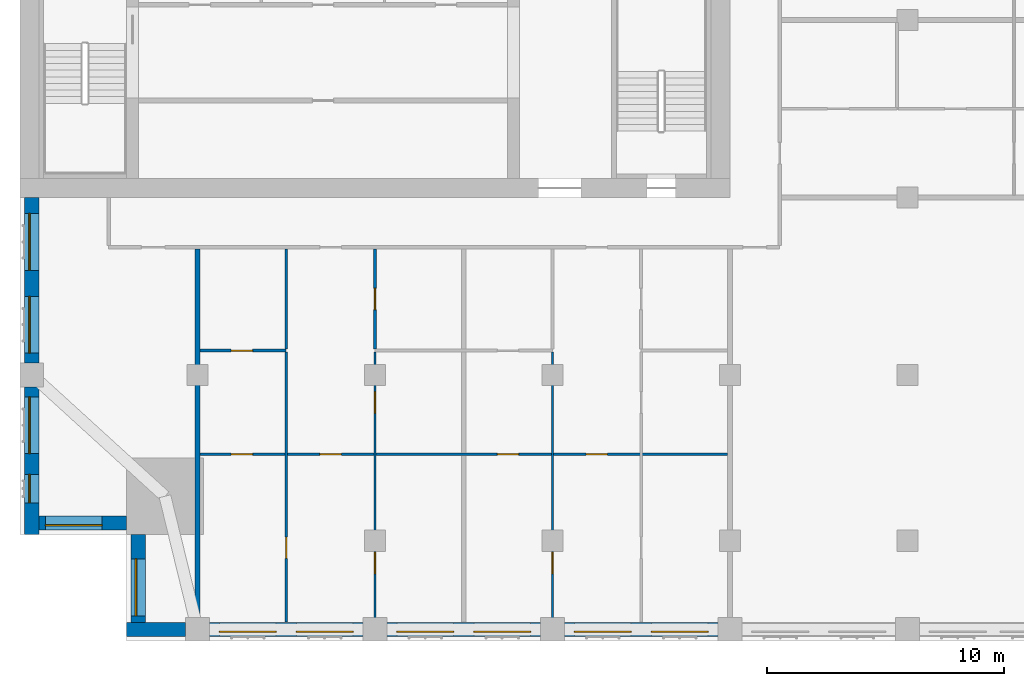
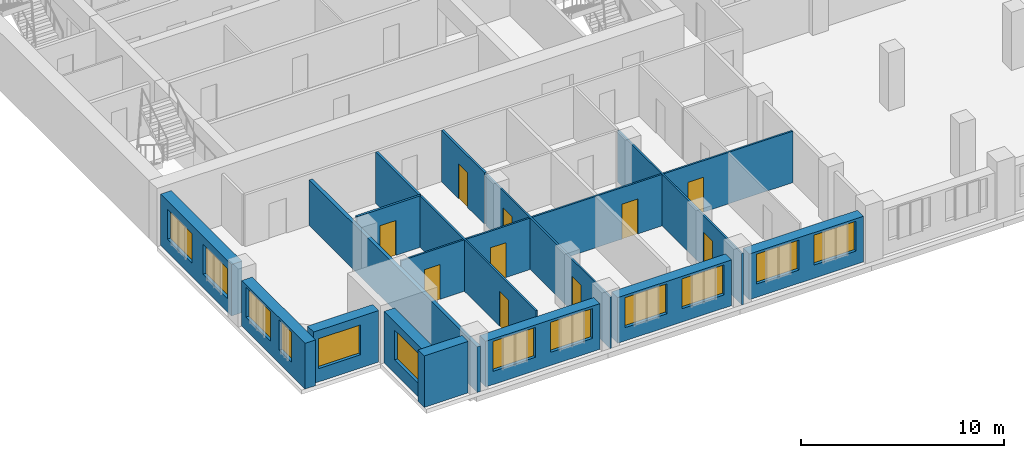
# One storey, part 6 of 14: 16 walls, 12 windows, 10 doors, 22 openings.
"""IFC4 building model written with IfcOpenShell, lengths in metres."""

from ifc_helpers import new_model, si_unit, direction, frame, frame_2d, origin, place, context, subcontext, project, spatial, rectangle, extrude, material, layer, layer_set, type_object, element, fill, save


model = new_model("IFC4")

# Units and contexts
model_context = context("Model", 3, precision=1e-05, world=origin(), true_north=direction((0.0, 1.0)))
body_context = subcontext(model_context, "Body", "Model", "MODEL_VIEW")
ifc_project = project(units=[si_unit("LENGTHUNIT", "METRE"), si_unit("AREAUNIT", "SQUARE_METRE"), si_unit("VOLUMEUNIT", "CUBIC_METRE"), si_unit("PLANEANGLEUNIT", "RADIAN"), si_unit("MASSUNIT", "GRAM", prefix="KILO")], contexts=[model_context])

# Site, building, storey
site_placement = place(None, origin())
site = spatial("IfcSite", under=ifc_project, at=site_placement, CompositionType="ELEMENT")
building_placement = place(site_placement, origin())
building = spatial("IfcBuilding", under=site, at=building_placement, Name="Tamorin Gate", CompositionType="ELEMENT")
storey_placement = place(building_placement, frame((0.0, 0.0, 210.699951171875)))
storey = spatial("IfcBuildingStorey", under=building, at=storey_placement, Name="L52", CompositionType="ELEMENT", Elevation=210.699951171875)

# Wall
ifc_material_1 = material(Name="Precast concrete C40/50", Category="concrete")
ifc_layer_1 = layer(ifc_material_1, 0.60009765625)
ifc_layer_set_1 = layer_set([ifc_layer_1], Name="Precast concrete C40/50")
wall_type_1 = type_object("IfcWallType", Name="Board-marked concrete facade panel 600", PredefinedType="SOLIDWALL", material=ifc_layer_set_1)
wall_1_placement = place(storey_placement, frame((34.5, 41.75, 0.0), z_axis=(0.0, 0.0, 1.0), x_axis=(1.0, 0.0, 0.0)))
element("IfcWall", 1, at=wall_1_placement, inside=storey, type_object=wall_type_1, Name="Facade panel", PredefinedType="SOLIDWALL", context=body_context, shape_type="SweptSolid", body=[
    extrude(rectangle(XDim=2.5, YDim=0.60009765625, at=frame_2d((1.25, 0.0))), origin(), (0.0, 0.0, 1.0), 3.10009765625),
])

# Wall, openings, windows
wall_2_placement = place(storey_placement, frame((38.0, 41.75, 0.0), z_axis=(0.0, 0.0, 1.0), x_axis=(1.0, 0.0, 0.0)))
wall_2 = element("IfcWall", 2, at=wall_2_placement, inside=storey, type_object=wall_type_1, Name="Facade panel", PredefinedType="SOLIDWALL", context=body_context, shape_type="SweptSolid", body=[
    extrude(rectangle(XDim=6.5, YDim=0.60009765625, at=frame_2d((3.25, 0.0))), origin(), (0.0, 0.0, 1.0), 2.75),
])
opening_1_placement = place(wall_2_placement, frame((0.425048828125, 0.0, 0.800048828125)))
opening_1 = element("IfcOpeningElement", 3, at=opening_1_placement, cuts=wall_2, Name="Opening WN1", PredefinedType="OPENING", context=body_context, shape_type="SweptSolid", body=[
    extrude(rectangle(XDim=2.39990234375, YDim=1.800048828125, at=frame_2d((1.199951171875, 0.89990234375))), frame((0.0, 0.31005859375, 0.0), z_axis=(0.0, -1.0, 0.0), x_axis=(1.0, 0.0, 0.0)), (0.0, 0.0, 1.0), 0.6201171875),
])
opening_2_placement = place(wall_2_placement, frame((3.675048828125, 0.0, 0.800048828125)))
opening_2 = element("IfcOpeningElement", 4, at=opening_2_placement, cuts=wall_2, Name="Opening WN1", PredefinedType="OPENING", context=body_context, shape_type="SweptSolid", body=[
    extrude(rectangle(XDim=2.39990234375, YDim=1.800048828125, at=frame_2d((1.199951171875, 0.89990234375))), frame((0.0, 0.31005859375, 0.0), z_axis=(0.0, -1.0, 0.0), x_axis=(1.0, 0.0, 0.0)), (0.0, 0.0, 1.0), 0.6201171875),
])
ifc_material_2 = material(Name="Clear glass in aluminium frame", Category="aluminium")
window_type_1 = type_object("IfcWindowType", Name="Deep-set window 2400x1800", PartitioningType="SINGLE_PANEL", PredefinedType="WINDOW", material=ifc_material_2)
window_1_placement = place(opening_1_placement, origin())
window_1 = element("IfcWindow", 5, at=window_1_placement, inside=storey, type_object=window_type_1, Name="Deep-set window", OverallHeight=1.800048828125, OverallWidth=2.39990234375, PartitioningType="SINGLE_PANEL", PredefinedType="WINDOW", context=body_context, shape_type="SweptSolid", body=[
    extrude(rectangle(XDim=2.39990234375, YDim=1.800048828125, at=frame_2d((1.199951171875, 0.89990234375))), frame((0.0, -0.070068359375, 0.0), z_axis=(0.0, -1.0, 0.0), x_axis=(1.0, 0.0, 0.0)), (0.0, 0.0, 1.0), 0.06005859375),
])
fill(opening_1, window_1)
window_2_placement = place(opening_2_placement, origin())
window_2 = element("IfcWindow", 6, at=window_2_placement, inside=storey, type_object=window_type_1, Name="Deep-set window", OverallHeight=1.800048828125, OverallWidth=2.39990234375, PartitioningType="SINGLE_PANEL", PredefinedType="WINDOW", context=body_context, shape_type="SweptSolid", body=[
    extrude(rectangle(XDim=2.39990234375, YDim=1.800048828125, at=frame_2d((1.199951171875, 0.89990234375))), frame((0.0, -0.070068359375, 0.0), z_axis=(0.0, -1.0, 0.0), x_axis=(1.0, 0.0, 0.0)), (0.0, 0.0, 1.0), 0.06005859375),
])
fill(opening_2, window_2)

wall_3_placement = place(storey_placement, frame((45.5, 41.75, 0.0), z_axis=(0.0, 0.0, 1.0), x_axis=(1.0, 0.0, 0.0)))
wall_3 = element("IfcWall", 7, at=wall_3_placement, inside=storey, type_object=wall_type_1, Name="Facade panel", PredefinedType="SOLIDWALL", context=body_context, shape_type="SweptSolid", body=[
    extrude(rectangle(XDim=6.5, YDim=0.60009765625, at=frame_2d((3.25, 0.0))), origin(), (0.0, 0.0, 1.0), 2.75),
])
opening_3_placement = place(wall_3_placement, frame((0.425048828125, 0.0, 0.800048828125)))
opening_3 = element("IfcOpeningElement", 8, at=opening_3_placement, cuts=wall_3, Name="Opening WN1", PredefinedType="OPENING", context=body_context, shape_type="SweptSolid", body=[
    extrude(rectangle(XDim=2.39990234375, YDim=1.800048828125, at=frame_2d((1.199951171875, 0.89990234375))), frame((0.0, 0.31005859375, 0.0), z_axis=(0.0, -1.0, 0.0), x_axis=(1.0, 0.0, 0.0)), (0.0, 0.0, 1.0), 0.6201171875),
])
opening_4_placement = place(wall_3_placement, frame((3.675048828125, 0.0, 0.800048828125)))
opening_4 = element("IfcOpeningElement", 9, at=opening_4_placement, cuts=wall_3, Name="Opening WN1", PredefinedType="OPENING", context=body_context, shape_type="SweptSolid", body=[
    extrude(rectangle(XDim=2.39990234375, YDim=1.800048828125, at=frame_2d((1.199951171875, 0.89990234375))), frame((0.0, 0.31005859375, 0.0), z_axis=(0.0, -1.0, 0.0), x_axis=(1.0, 0.0, 0.0)), (0.0, 0.0, 1.0), 0.6201171875),
])
window_3_placement = place(opening_3_placement, origin())
window_3 = element("IfcWindow", 10, at=window_3_placement, inside=storey, type_object=window_type_1, Name="Deep-set window", OverallHeight=1.800048828125, OverallWidth=2.39990234375, PartitioningType="SINGLE_PANEL", PredefinedType="WINDOW", context=body_context, shape_type="SweptSolid", body=[
    extrude(rectangle(XDim=2.39990234375, YDim=1.800048828125, at=frame_2d((1.199951171875, 0.89990234375))), frame((0.0, -0.070068359375, 0.0), z_axis=(0.0, -1.0, 0.0), x_axis=(1.0, 0.0, 0.0)), (0.0, 0.0, 1.0), 0.06005859375),
])
fill(opening_3, window_3)
window_4_placement = place(opening_4_placement, origin())
window_4 = element("IfcWindow", 11, at=window_4_placement, inside=storey, type_object=window_type_1, Name="Deep-set window", OverallHeight=1.800048828125, OverallWidth=2.39990234375, PartitioningType="SINGLE_PANEL", PredefinedType="WINDOW", context=body_context, shape_type="SweptSolid", body=[
    extrude(rectangle(XDim=2.39990234375, YDim=1.800048828125, at=frame_2d((1.199951171875, 0.89990234375))), frame((0.0, -0.070068359375, 0.0), z_axis=(0.0, -1.0, 0.0), x_axis=(1.0, 0.0, 0.0)), (0.0, 0.0, 1.0), 0.06005859375),
])
fill(opening_4, window_4)

wall_4_placement = place(storey_placement, frame((53.0, 41.75, 0.0), z_axis=(0.0, 0.0, 1.0), x_axis=(1.0, 0.0, 0.0)))
wall_4 = element("IfcWall", 12, at=wall_4_placement, inside=storey, type_object=wall_type_1, Name="Facade panel", PredefinedType="SOLIDWALL", context=body_context, shape_type="SweptSolid", body=[
    extrude(rectangle(XDim=6.5, YDim=0.60009765625, at=frame_2d((3.25, 0.0))), origin(), (0.0, 0.0, 1.0), 2.75),
])
opening_5_placement = place(wall_4_placement, frame((0.425048828125, 0.0, 0.800048828125)))
opening_5 = element("IfcOpeningElement", 13, at=opening_5_placement, cuts=wall_4, Name="Opening WN1", PredefinedType="OPENING", context=body_context, shape_type="SweptSolid", body=[
    extrude(rectangle(XDim=2.39990234375, YDim=1.800048828125, at=frame_2d((1.199951171875, 0.89990234375))), frame((0.0, 0.31005859375, 0.0), z_axis=(0.0, -1.0, 0.0), x_axis=(1.0, 0.0, 0.0)), (0.0, 0.0, 1.0), 0.6201171875),
])
opening_6_placement = place(wall_4_placement, frame((3.675048828125, 0.0, 0.800048828125)))
opening_6 = element("IfcOpeningElement", 14, at=opening_6_placement, cuts=wall_4, Name="Opening WN1", PredefinedType="OPENING", context=body_context, shape_type="SweptSolid", body=[
    extrude(rectangle(XDim=2.39990234375, YDim=1.800048828125, at=frame_2d((1.199951171875, 0.89990234375))), frame((0.0, 0.31005859375, 0.0), z_axis=(0.0, -1.0, 0.0), x_axis=(1.0, 0.0, 0.0)), (0.0, 0.0, 1.0), 0.6201171875),
])
window_5_placement = place(opening_5_placement, origin())
window_5 = element("IfcWindow", 15, at=window_5_placement, inside=storey, type_object=window_type_1, Name="Deep-set window", OverallHeight=1.800048828125, OverallWidth=2.39990234375, PartitioningType="SINGLE_PANEL", PredefinedType="WINDOW", context=body_context, shape_type="SweptSolid", body=[
    extrude(rectangle(XDim=2.39990234375, YDim=1.800048828125, at=frame_2d((1.199951171875, 0.89990234375))), frame((0.0, -0.070068359375, 0.0), z_axis=(0.0, -1.0, 0.0), x_axis=(1.0, 0.0, 0.0)), (0.0, 0.0, 1.0), 0.06005859375),
])
fill(opening_5, window_5)
window_6_placement = place(opening_6_placement, origin())
window_6 = element("IfcWindow", 16, at=window_6_placement, inside=storey, type_object=window_type_1, Name="Deep-set window", OverallHeight=1.800048828125, OverallWidth=2.39990234375, PartitioningType="SINGLE_PANEL", PredefinedType="WINDOW", context=body_context, shape_type="SweptSolid", body=[
    extrude(rectangle(XDim=2.39990234375, YDim=1.800048828125, at=frame_2d((1.199951171875, 0.89990234375))), frame((0.0, -0.070068359375, 0.0), z_axis=(0.0, -1.0, 0.0), x_axis=(1.0, 0.0, 0.0)), (0.0, 0.0, 1.0), 0.06005859375),
])
fill(opening_6, window_6)

wall_5_placement = place(storey_placement, frame((30.5, 60.0, 0.0), z_axis=(0.0, 0.0, 1.0), x_axis=(0.0, -1.0, 0.0)))
wall_5 = element("IfcWall", 17, at=wall_5_placement, inside=storey, type_object=wall_type_1, Name="Facade panel", PredefinedType="SOLIDWALL", context=body_context, shape_type="SweptSolid", body=[
    extrude(rectangle(XDim=7.0, YDim=0.60009765625, at=frame_2d((3.5, 0.0))), origin(), (0.0, 0.0, 1.0), 3.10009765625),
])
opening_7_placement = place(wall_5_placement, frame((4.175048828125, 0.0, 0.800048828125)))
opening_7 = element("IfcOpeningElement", 18, at=opening_7_placement, cuts=wall_5, Name="Opening WN1", PredefinedType="OPENING", context=body_context, shape_type="SweptSolid", body=[
    extrude(rectangle(XDim=2.39990234375, YDim=1.800048828125, at=frame_2d((1.199951171875, 0.89990234375))), frame((0.0, 0.31005859375, 0.0), z_axis=(0.0, -1.0, 0.0), x_axis=(1.0, 0.0, 0.0)), (0.0, 0.0, 1.0), 0.6201171875),
])
opening_8_placement = place(wall_5_placement, frame((0.675048828125, 0.0, 0.800048828125)))
opening_8 = element("IfcOpeningElement", 19, at=opening_8_placement, cuts=wall_5, Name="Opening WN1", PredefinedType="OPENING", context=body_context, shape_type="SweptSolid", body=[
    extrude(rectangle(XDim=2.39990234375, YDim=1.800048828125, at=frame_2d((1.199951171875, 0.89990234375))), frame((0.0, 0.31005859375, 0.0), z_axis=(0.0, -1.0, 0.0), x_axis=(1.0, 0.0, 0.0)), (0.0, 0.0, 1.0), 0.6201171875),
])
window_7_placement = place(opening_7_placement, origin())
window_7 = element("IfcWindow", 20, at=window_7_placement, inside=storey, type_object=window_type_1, Name="Deep-set window", OverallHeight=1.800048828125, OverallWidth=2.39990234375, PartitioningType="SINGLE_PANEL", PredefinedType="WINDOW", context=body_context, shape_type="SweptSolid", body=[
    extrude(rectangle(XDim=2.39990234375, YDim=1.800048828125, at=frame_2d((1.199951171875, 0.89990234375))), frame((0.0, -0.070068359375, 0.0), z_axis=(0.0, -1.0, 0.0), x_axis=(1.0, 0.0, 0.0)), (0.0, 0.0, 1.0), 0.06005859375),
])
fill(opening_7, window_7)
window_8_placement = place(opening_8_placement, origin())
window_8 = element("IfcWindow", 21, at=window_8_placement, inside=storey, type_object=window_type_1, Name="Deep-set window", OverallHeight=1.800048828125, OverallWidth=2.39990234375, PartitioningType="SINGLE_PANEL", PredefinedType="WINDOW", context=body_context, shape_type="SweptSolid", body=[
    extrude(rectangle(XDim=2.39990234375, YDim=1.800048828125, at=frame_2d((1.199951171875, 0.89990234375))), frame((0.0, -0.070068359375, 0.0), z_axis=(0.0, -1.0, 0.0), x_axis=(1.0, 0.0, 0.0)), (0.0, 0.0, 1.0), 0.06005859375),
])
fill(opening_8, window_8)

wall_6_placement = place(storey_placement, frame((30.5, 52.0, 0.0), z_axis=(0.0, 0.0, 1.0), x_axis=(0.0, -1.0, 0.0)))
wall_6 = element("IfcWall", 22, at=wall_6_placement, inside=storey, type_object=wall_type_1, Name="Facade panel", PredefinedType="SOLIDWALL", context=body_context, shape_type="SweptSolid", body=[
    extrude(rectangle(XDim=6.25, YDim=0.60009765625, at=frame_2d((3.125, 0.0))), origin(), (0.0, 0.0, 1.0), 2.75),
])
opening_9_placement = place(wall_6_placement, frame((3.699951171875, 0.0, 0.800048828125)))
opening_9 = element("IfcOpeningElement", 23, at=opening_9_placement, cuts=wall_6, Name="Opening WN3", PredefinedType="OPENING", context=body_context, shape_type="SweptSolid", body=[
    extrude(rectangle(XDim=1.199951171875, YDim=1.800048828125, at=frame_2d((0.60009765625, 0.89990234375))), frame((0.0, 0.31005859375, 0.0), z_axis=(0.0, -1.0, 0.0), x_axis=(1.0, 0.0, 0.0)), (0.0, 0.0, 1.0), 0.6201171875),
])
opening_10_placement = place(wall_6_placement, frame((0.425048828125, 0.0, 0.800048828125)))
opening_10 = element("IfcOpeningElement", 24, at=opening_10_placement, cuts=wall_6, Name="Opening WN1", PredefinedType="OPENING", context=body_context, shape_type="SweptSolid", body=[
    extrude(rectangle(XDim=2.39990234375, YDim=1.800048828125, at=frame_2d((1.199951171875, 0.89990234375))), frame((0.0, 0.31005859375, 0.0), z_axis=(0.0, -1.0, 0.0), x_axis=(1.0, 0.0, 0.0)), (0.0, 0.0, 1.0), 0.6201171875),
])
window_type_2 = type_object("IfcWindowType", Name="Deep-set window 1200x1800", PartitioningType="SINGLE_PANEL", PredefinedType="WINDOW", material=ifc_material_2)
window_9_placement = place(opening_9_placement, origin())
window_9 = element("IfcWindow", 25, at=window_9_placement, inside=storey, type_object=window_type_2, Name="Deep-set window", OverallHeight=1.800048828125, OverallWidth=1.199951171875, PartitioningType="SINGLE_PANEL", PredefinedType="WINDOW", context=body_context, shape_type="SweptSolid", body=[
    extrude(rectangle(XDim=1.199951171875, YDim=1.800048828125, at=frame_2d((0.60009765625, 0.89990234375))), frame((0.0, -0.070068359375, 0.0), z_axis=(0.0, -1.0, 0.0), x_axis=(1.0, 0.0, 0.0)), (0.0, 0.0, 1.0), 0.06005859375),
])
fill(opening_9, window_9)
window_10_placement = place(opening_10_placement, origin())
window_10 = element("IfcWindow", 26, at=window_10_placement, inside=storey, type_object=window_type_1, Name="Deep-set window", OverallHeight=1.800048828125, OverallWidth=2.39990234375, PartitioningType="SINGLE_PANEL", PredefinedType="WINDOW", context=body_context, shape_type="SweptSolid", body=[
    extrude(rectangle(XDim=2.39990234375, YDim=1.800048828125, at=frame_2d((1.199951171875, 0.89990234375))), frame((0.0, -0.070068359375, 0.0), z_axis=(0.0, -1.0, 0.0), x_axis=(1.0, 0.0, 0.0)), (0.0, 0.0, 1.0), 0.06005859375),
])
fill(opening_10, window_10)

# Wall, opening, window
wall_7_placement = place(storey_placement, frame((30.800048828125, 46.25, 0.0), z_axis=(0.0, 0.0, 1.0), x_axis=(1.0, 0.0, 0.0)))
wall_7 = element("IfcWall", 27, at=wall_7_placement, inside=storey, type_object=wall_type_1, Name="Facade panel", PredefinedType="SOLIDWALL", context=body_context, shape_type="SweptSolid", body=[
    extrude(rectangle(XDim=3.699951171875, YDim=0.60009765625, at=frame_2d((1.85009765625, 0.0))), origin(), (0.0, 0.0, 1.0), 3.10009765625),
])
opening_11_placement = place(wall_7_placement, frame((0.27490234375, 0.0, 0.800048828125)))
opening_11 = element("IfcOpeningElement", 28, at=opening_11_placement, cuts=wall_7, Name="Opening WN1", PredefinedType="OPENING", context=body_context, shape_type="SweptSolid", body=[
    extrude(rectangle(XDim=2.39990234375, YDim=1.800048828125, at=frame_2d((1.199951171875, 0.89990234375))), frame((0.0, 0.31005859375, 0.0), z_axis=(0.0, -1.0, 0.0), x_axis=(1.0, 0.0, 0.0)), (0.0, 0.0, 1.0), 0.6201171875),
])
window_11_placement = place(opening_11_placement, origin())
window_11 = element("IfcWindow", 29, at=window_11_placement, inside=storey, type_object=window_type_1, Name="Deep-set window", OverallHeight=1.800048828125, OverallWidth=2.39990234375, PartitioningType="SINGLE_PANEL", PredefinedType="WINDOW", context=body_context, shape_type="SweptSolid", body=[
    extrude(rectangle(XDim=2.39990234375, YDim=1.800048828125, at=frame_2d((1.199951171875, 0.89990234375))), frame((0.0, -0.070068359375, 0.0), z_axis=(0.0, -1.0, 0.0), x_axis=(1.0, 0.0, 0.0)), (0.0, 0.0, 1.0), 0.06005859375),
])
fill(opening_11, window_11)

wall_8_placement = place(storey_placement, frame((35.0, 45.75, 0.0), z_axis=(0.0, 0.0, 1.0), x_axis=(0.0, -1.0, 0.0)))
wall_8 = element("IfcWall", 30, at=wall_8_placement, inside=storey, type_object=wall_type_1, Name="Facade panel", PredefinedType="SOLIDWALL", context=body_context, shape_type="SweptSolid", body=[
    extrude(rectangle(XDim=3.699951171875, YDim=0.60009765625, at=frame_2d((1.85009765625, 0.0))), origin(), (0.0, 0.0, 1.0), 3.10009765625),
])
opening_12_placement = place(wall_8_placement, frame((1.02490234375, 0.0, 0.800048828125)))
opening_12 = element("IfcOpeningElement", 31, at=opening_12_placement, cuts=wall_8, Name="Opening WN1", PredefinedType="OPENING", context=body_context, shape_type="SweptSolid", body=[
    extrude(rectangle(XDim=2.39990234375, YDim=1.800048828125, at=frame_2d((1.199951171875, 0.89990234375))), frame((0.0, 0.31005859375, 0.0), z_axis=(0.0, -1.0, 0.0), x_axis=(1.0, 0.0, 0.0)), (0.0, 0.0, 1.0), 0.6201171875),
])
window_12_placement = place(opening_12_placement, origin())
window_12 = element("IfcWindow", 32, at=window_12_placement, inside=storey, type_object=window_type_1, Name="Deep-set window", OverallHeight=1.800048828125, OverallWidth=2.39990234375, PartitioningType="SINGLE_PANEL", PredefinedType="WINDOW", context=body_context, shape_type="SweptSolid", body=[
    extrude(rectangle(XDim=2.39990234375, YDim=1.800048828125, at=frame_2d((1.199951171875, 0.89990234375))), frame((0.0, -0.070068359375, 0.0), z_axis=(0.0, -1.0, 0.0), x_axis=(1.0, 0.0, 0.0)), (0.0, 0.0, 1.0), 0.06005859375),
])
fill(opening_12, window_12)

# Wall
ifc_material_3 = material(Name="Gypsum board partition")
ifc_layer_2 = layer(ifc_material_3, 0.199951171875)
ifc_layer_set_2 = layer_set([ifc_layer_2], Name="Demising wall 200")
wall_type_2 = type_object("IfcWallType", Name="Demising wall 200", PredefinedType="PARTITIONING", material=ifc_layer_set_2)
wall_9_placement = place(storey_placement, frame((37.5, 41.25, 0.0), z_axis=(0.0, 0.0, 1.0), x_axis=(0.0, 1.0, 0.0)))
element("IfcWall", 33, at=wall_9_placement, inside=storey, type_object=wall_type_2, Name="Demising wall 200", PredefinedType="PARTITIONING", context=body_context, shape_type="SweptSolid", body=[
    extrude(rectangle(XDim=16.574951171875, YDim=0.199951171875, at=frame_2d((8.28759765625, 0.0))), origin(), (0.0, 0.0, 1.0), 2.75),
])

# Wall, openings, doors
ifc_layer_3 = layer(ifc_material_3, 0.10009765625)
ifc_layer_set_3 = layer_set([ifc_layer_3], Name="Room partition 100")
wall_type_3 = type_object("IfcWallType", Name="Room partition 100", PredefinedType="PARTITIONING", material=ifc_layer_set_3)
wall_10_placement = place(storey_placement, frame((37.60009765625, 49.14990234375, 0.0), z_axis=(0.0, 0.0, 1.0), x_axis=(1.0, 0.0, 0.0)))
wall_10 = element("IfcWall", 34, at=wall_10_placement, inside=storey, type_object=wall_type_3, Name="Room partition 100", PredefinedType="PARTITIONING", context=body_context, shape_type="SweptSolid", body=[
    extrude(rectangle(XDim=22.2998046875, YDim=0.10009765625, at=frame_2d((11.14990234375, 0.0))), origin(), (0.0, 0.0, 1.0), 3.10009765625),
])
opening_13_placement = place(wall_10_placement, frame((1.324951171875, 0.0, 0.0)))
opening_13 = element("IfcOpeningElement", 35, at=opening_13_placement, cuts=wall_10, Name="Opening DR2002", PredefinedType="OPENING", context=body_context, shape_type="SweptSolid", body=[
    extrude(rectangle(XDim=0.89990234375, YDim=2.10009765625, at=frame_2d((0.449951171875, 1.050048828125))), frame((0.0, 0.06005859375, 0.0), z_axis=(0.0, -1.0, 0.0), x_axis=(1.0, 0.0, 0.0)), (0.0, 0.0, 1.0), 0.1201171875),
])
opening_14_placement = place(wall_10_placement, frame((5.074951171875, 0.0, 0.0)))
opening_14 = element("IfcOpeningElement", 36, at=opening_14_placement, cuts=wall_10, Name="Opening DR2005", PredefinedType="OPENING", context=body_context, shape_type="SweptSolid", body=[
    extrude(rectangle(XDim=0.89990234375, YDim=2.10009765625, at=frame_2d((0.449951171875, 1.050048828125))), frame((0.0, 0.06005859375, 0.0), z_axis=(0.0, -1.0, 0.0), x_axis=(1.0, 0.0, 0.0)), (0.0, 0.0, 1.0), 0.1201171875),
])
opening_15_placement = place(wall_10_placement, frame((12.574951171875, 0.0, 0.0)))
opening_15 = element("IfcOpeningElement", 37, at=opening_15_placement, cuts=wall_10, Name="Opening DR2010", PredefinedType="OPENING", context=body_context, shape_type="SweptSolid", body=[
    extrude(rectangle(XDim=0.89990234375, YDim=2.10009765625, at=frame_2d((0.449951171875, 1.050048828125))), frame((0.0, 0.06005859375, 0.0), z_axis=(0.0, -1.0, 0.0), x_axis=(1.0, 0.0, 0.0)), (0.0, 0.0, 1.0), 0.1201171875),
])
opening_16_placement = place(wall_10_placement, frame((16.324951171875, 0.0, 0.0)))
opening_16 = element("IfcOpeningElement", 38, at=opening_16_placement, cuts=wall_10, Name="Opening DR2013", PredefinedType="OPENING", context=body_context, shape_type="SweptSolid", body=[
    extrude(rectangle(XDim=0.89990234375, YDim=2.10009765625, at=frame_2d((0.449951171875, 1.050048828125))), frame((0.0, 0.06005859375, 0.0), z_axis=(0.0, -1.0, 0.0), x_axis=(1.0, 0.0, 0.0)), (0.0, 0.0, 1.0), 0.1201171875),
])
ifc_material_4 = material(Name="Timber door leaf", Category="wood")
door_type = type_object("IfcDoorType", Name="Door 900 x 2100", OperationType="NOTDEFINED", PredefinedType="DOOR", material=ifc_material_4)
door_1_placement = place(opening_13_placement, origin())
door_1 = element("IfcDoor", 39, at=door_1_placement, inside=storey, type_object=door_type, Name="Door DR2002", OperationType="SINGLE_SWING_LEFT", OverallHeight=2.10009765625, OverallWidth=0.89990234375, PredefinedType="DOOR", context=body_context, shape_type="SweptSolid", body=[
    extrude(rectangle(XDim=0.89990234375, YDim=2.10009765625, at=frame_2d((0.449951171875, 1.050048828125))), frame((0.0, 0.02490234375, 0.0), z_axis=(0.0, -1.0, 0.0), x_axis=(1.0, 0.0, 0.0)), (0.0, 0.0, 1.0), 0.050048828125),
])
fill(opening_13, door_1)
door_2_placement = place(opening_14_placement, origin())
door_2 = element("IfcDoor", 40, at=door_2_placement, inside=storey, type_object=door_type, Name="Door DR2005", OperationType="SINGLE_SWING_LEFT", OverallHeight=2.10009765625, OverallWidth=0.89990234375, PredefinedType="DOOR", context=body_context, shape_type="SweptSolid", body=[
    extrude(rectangle(XDim=0.89990234375, YDim=2.10009765625, at=frame_2d((0.449951171875, 1.050048828125))), frame((0.0, 0.02490234375, 0.0), z_axis=(0.0, -1.0, 0.0), x_axis=(1.0, 0.0, 0.0)), (0.0, 0.0, 1.0), 0.050048828125),
])
fill(opening_14, door_2)
door_3_placement = place(opening_15_placement, origin())
door_3 = element("IfcDoor", 41, at=door_3_placement, inside=storey, type_object=door_type, Name="Door DR2010", OperationType="SINGLE_SWING_LEFT", OverallHeight=2.10009765625, OverallWidth=0.89990234375, PredefinedType="DOOR", context=body_context, shape_type="SweptSolid", body=[
    extrude(rectangle(XDim=0.89990234375, YDim=2.10009765625, at=frame_2d((0.449951171875, 1.050048828125))), frame((0.0, 0.02490234375, 0.0), z_axis=(0.0, -1.0, 0.0), x_axis=(1.0, 0.0, 0.0)), (0.0, 0.0, 1.0), 0.050048828125),
])
fill(opening_15, door_3)
door_4_placement = place(opening_16_placement, origin())
door_4 = element("IfcDoor", 42, at=door_4_placement, inside=storey, type_object=door_type, Name="Door DR2013", OperationType="SINGLE_SWING_LEFT", OverallHeight=2.10009765625, OverallWidth=0.89990234375, PredefinedType="DOOR", context=body_context, shape_type="SweptSolid", body=[
    extrude(rectangle(XDim=0.89990234375, YDim=2.10009765625, at=frame_2d((0.449951171875, 1.050048828125))), frame((0.0, 0.02490234375, 0.0), z_axis=(0.0, -1.0, 0.0), x_axis=(1.0, 0.0, 0.0)), (0.0, 0.0, 1.0), 0.050048828125),
])
fill(opening_16, door_4)

# Wall, opening, door
wall_11_placement = place(storey_placement, frame((41.25, 42.06005859375, 0.0), z_axis=(0.0, 0.0, 1.0), x_axis=(0.0, 1.0, 0.0)))
wall_11 = element("IfcWall", 43, at=wall_11_placement, inside=storey, type_object=wall_type_3, Name="Room partition 100", PredefinedType="PARTITIONING", context=body_context, shape_type="SweptSolid", body=[
    extrude(rectangle(XDim=11.40234375, YDim=0.10009765625, at=frame_2d((5.701171875, 0.0))), origin(), (0.0, 0.0, 1.0), 3.10009765625),
])
opening_17_placement = place(wall_11_placement, frame((2.68994140625, 0.0, 0.0)))
opening_17 = element("IfcOpeningElement", 44, at=opening_17_placement, cuts=wall_11, Name="Opening DR2008", PredefinedType="OPENING", context=body_context, shape_type="SweptSolid", body=[
    extrude(rectangle(XDim=0.89990234375, YDim=2.10009765625, at=frame_2d((0.449951171875, 1.050048828125))), frame((0.0, 0.06005859375, 0.0), z_axis=(0.0, -1.0, 0.0), x_axis=(1.0, 0.0, 0.0)), (0.0, 0.0, 1.0), 0.1201171875),
])
door_5_placement = place(opening_17_placement, origin())
door_5 = element("IfcDoor", 45, at=door_5_placement, inside=storey, type_object=door_type, Name="Door DR2008", OperationType="SINGLE_SWING_LEFT", OverallHeight=2.10009765625, OverallWidth=0.89990234375, PredefinedType="DOOR", context=body_context, shape_type="SweptSolid", body=[
    extrude(rectangle(XDim=0.89990234375, YDim=2.10009765625, at=frame_2d((0.449951171875, 1.050048828125))), frame((0.0, 0.02490234375, 0.0), z_axis=(0.0, -1.0, 0.0), x_axis=(1.0, 0.0, 0.0)), (0.0, 0.0, 1.0), 0.050048828125),
])
fill(opening_17, door_5)

# Wall, openings, doors
wall_12_placement = place(storey_placement, frame((45.0, 41.25, 0.0), z_axis=(0.0, 0.0, 1.0), x_axis=(0.0, 1.0, 0.0)))
wall_12 = element("IfcWall", 46, at=wall_12_placement, inside=storey, type_object=wall_type_3, Name="Room partition 100", PredefinedType="PARTITIONING", context=body_context, shape_type="SweptSolid", body=[
    extrude(rectangle(XDim=12.21240234375, YDim=0.10009765625, at=frame_2d((6.106201171875, 0.0))), origin(), (0.0, 0.0, 1.0), 3.10009765625),
])
opening_18_placement = place(wall_12_placement, frame((9.637451171875, 0.0, 0.0)))
opening_18 = element("IfcOpeningElement", 47, at=opening_18_placement, cuts=wall_12, Name="Opening DR2006", PredefinedType="OPENING", context=body_context, shape_type="SweptSolid", body=[
    extrude(rectangle(XDim=0.89990234375, YDim=2.10009765625, at=frame_2d((0.449951171875, 1.050048828125))), frame((0.0, 0.06005859375, 0.0), z_axis=(0.0, -1.0, 0.0), x_axis=(1.0, 0.0, 0.0)), (0.0, 0.0, 1.0), 0.1201171875),
])
opening_19_placement = place(wall_12_placement, frame((2.85009765625, 0.0, 0.0)))
opening_19 = element("IfcOpeningElement", 48, at=opening_19_placement, cuts=wall_12, Name="Opening DR2009", PredefinedType="OPENING", context=body_context, shape_type="SweptSolid", body=[
    extrude(rectangle(XDim=0.89990234375, YDim=2.10009765625, at=frame_2d((0.449951171875, 1.050048828125))), frame((0.0, 0.06005859375, 0.0), z_axis=(0.0, -1.0, 0.0), x_axis=(1.0, 0.0, 0.0)), (0.0, 0.0, 1.0), 0.1201171875),
])
door_6_placement = place(opening_18_placement, origin())
door_6 = element("IfcDoor", 49, at=door_6_placement, inside=storey, type_object=door_type, Name="Door DR2006", OperationType="SINGLE_SWING_RIGHT", OverallHeight=2.10009765625, OverallWidth=0.89990234375, PredefinedType="DOOR", context=body_context, shape_type="SweptSolid", body=[
    extrude(rectangle(XDim=0.89990234375, YDim=2.10009765625, at=frame_2d((0.449951171875, 1.050048828125))), frame((0.0, 0.02490234375, 0.0), z_axis=(0.0, -1.0, 0.0), x_axis=(1.0, 0.0, 0.0)), (0.0, 0.0, 1.0), 0.050048828125),
])
fill(opening_18, door_6)
door_7_placement = place(opening_19_placement, origin())
door_7 = element("IfcDoor", 50, at=door_7_placement, inside=storey, type_object=door_type, Name="Door DR2009", OperationType="SINGLE_SWING_LEFT", OverallHeight=2.10009765625, OverallWidth=0.89990234375, PredefinedType="DOOR", context=body_context, shape_type="SweptSolid", body=[
    extrude(rectangle(XDim=0.89990234375, YDim=2.10009765625, at=frame_2d((0.449951171875, 1.050048828125))), frame((0.0, 0.02490234375, 0.0), z_axis=(0.0, -1.0, 0.0), x_axis=(1.0, 0.0, 0.0)), (0.0, 0.0, 1.0), 0.050048828125),
])
fill(opening_19, door_7)

# Wall, opening, door
wall_13_placement = place(storey_placement, frame((52.5, 41.25, 0.0), z_axis=(0.0, 0.0, 1.0), x_axis=(0.0, 1.0, 0.0)))
wall_13 = element("IfcWall", 51, at=wall_13_placement, inside=storey, type_object=wall_type_3, Name="Room partition 100", PredefinedType="PARTITIONING", context=body_context, shape_type="SweptSolid", body=[
    extrude(rectangle(XDim=12.21240234375, YDim=0.10009765625, at=frame_2d((6.106201171875, 0.0))), origin(), (0.0, 0.0, 1.0), 3.10009765625),
])
opening_20_placement = place(wall_13_placement, frame((2.85009765625, 0.0, 0.0)))
opening_20 = element("IfcOpeningElement", 52, at=opening_20_placement, cuts=wall_13, Name="Opening DR2016", PredefinedType="OPENING", context=body_context, shape_type="SweptSolid", body=[
    extrude(rectangle(XDim=0.89990234375, YDim=2.10009765625, at=frame_2d((0.449951171875, 1.050048828125))), frame((0.0, 0.06005859375, 0.0), z_axis=(0.0, -1.0, 0.0), x_axis=(1.0, 0.0, 0.0)), (0.0, 0.0, 1.0), 0.1201171875),
])
door_8_placement = place(opening_20_placement, origin())
door_8 = element("IfcDoor", 53, at=door_8_placement, inside=storey, type_object=door_type, Name="Door DR2016", OperationType="SINGLE_SWING_LEFT", OverallHeight=2.10009765625, OverallWidth=0.89990234375, PredefinedType="DOOR", context=body_context, shape_type="SweptSolid", body=[
    extrude(rectangle(XDim=0.89990234375, YDim=2.10009765625, at=frame_2d((0.449951171875, 1.050048828125))), frame((0.0, 0.02490234375, 0.0), z_axis=(0.0, -1.0, 0.0), x_axis=(1.0, 0.0, 0.0)), (0.0, 0.0, 1.0), 0.050048828125),
])
fill(opening_20, door_8)

ifc_layer_4 = layer(ifc_material_3, 0.125)
ifc_layer_set_4 = layer_set([ifc_layer_4], Name="Wet wall 125")
wall_type_4 = type_object("IfcWallType", Name="Wet wall 125", PredefinedType="PARTITIONING", material=ifc_layer_set_4)
wall_14_placement = place(storey_placement, frame((37.60009765625, 53.52490234375, 0.0), z_axis=(0.0, 0.0, 1.0), x_axis=(1.0, 0.0, 0.0)))
wall_14 = element("IfcWall", 54, at=wall_14_placement, inside=storey, type_object=wall_type_4, Name="Wet wall 125", PredefinedType="PARTITIONING", context=body_context, shape_type="SweptSolid", body=[
    extrude(rectangle(XDim=3.64990234375, YDim=0.125, at=frame_2d((1.824951171875, 0.0))), origin(), (0.0, 0.0, 1.0), 3.10009765625),
])
opening_21_placement = place(wall_14_placement, frame((1.324951171875, 0.0, 0.0)))
opening_21 = element("IfcOpeningElement", 55, at=opening_21_placement, cuts=wall_14, Name="Opening DR2003", PredefinedType="OPENING", context=body_context, shape_type="SweptSolid", body=[
    extrude(rectangle(XDim=0.89990234375, YDim=2.10009765625, at=frame_2d((0.449951171875, 1.050048828125))), frame((0.0, 0.072509765625, 0.0), z_axis=(0.0, -1.0, 0.0), x_axis=(1.0, 0.0, 0.0)), (0.0, 0.0, 1.0), 0.14501953125),
])
door_9_placement = place(opening_21_placement, origin())
door_9 = element("IfcDoor", 56, at=door_9_placement, inside=storey, type_object=door_type, Name="Door DR2003", OperationType="SINGLE_SWING_LEFT", OverallHeight=2.10009765625, OverallWidth=0.89990234375, PredefinedType="DOOR", context=body_context, shape_type="SweptSolid", body=[
    extrude(rectangle(XDim=0.89990234375, YDim=2.10009765625, at=frame_2d((0.449951171875, 1.050048828125))), frame((0.0, 0.02490234375, 0.0), z_axis=(0.0, -1.0, 0.0), x_axis=(1.0, 0.0, 0.0)), (0.0, 0.0, 1.0), 0.050048828125),
])
fill(opening_21, door_9)

# Wall
wall_15_placement = place(storey_placement, frame((41.25, 53.58740234375, 0.0), z_axis=(0.0, 0.0, 1.0), x_axis=(0.0, 1.0, 0.0)))
element("IfcWall", 57, at=wall_15_placement, inside=storey, type_object=wall_type_4, Name="Wet wall 125", PredefinedType="PARTITIONING", context=body_context, shape_type="SweptSolid", body=[
    extrude(rectangle(XDim=4.237548828125, YDim=0.125, at=frame_2d((2.11865234375, 0.0))), origin(), (0.0, 0.0, 1.0), 3.10009765625),
])

# Wall, opening, door
wall_16_placement = place(storey_placement, frame((45.0, 53.58740234375, 0.0), z_axis=(0.0, 0.0, 1.0), x_axis=(0.0, 1.0, 0.0)))
wall_16 = element("IfcWall", 58, at=wall_16_placement, inside=storey, type_object=wall_type_4, Name="Wet wall 125", PredefinedType="PARTITIONING", context=body_context, shape_type="SweptSolid", body=[
    extrude(rectangle(XDim=4.237548828125, YDim=0.125, at=frame_2d((2.11865234375, 0.0))), origin(), (0.0, 0.0, 1.0), 3.10009765625),
])
opening_22_placement = place(wall_16_placement, frame((1.675048828125, 0.0, 0.0)))
opening_22 = element("IfcOpeningElement", 59, at=opening_22_placement, cuts=wall_16, Name="Opening DR2007", PredefinedType="OPENING", context=body_context, shape_type="SweptSolid", body=[
    extrude(rectangle(XDim=0.89990234375, YDim=2.10009765625, at=frame_2d((0.449951171875, 1.050048828125))), frame((0.0, 0.072509765625, 0.0), z_axis=(0.0, -1.0, 0.0), x_axis=(1.0, 0.0, 0.0)), (0.0, 0.0, 1.0), 0.14501953125),
])
door_10_placement = place(opening_22_placement, origin())
door_10 = element("IfcDoor", 60, at=door_10_placement, inside=storey, type_object=door_type, Name="Door DR2007", OperationType="SINGLE_SWING_RIGHT", OverallHeight=2.10009765625, OverallWidth=0.89990234375, PredefinedType="DOOR", context=body_context, shape_type="SweptSolid", body=[
    extrude(rectangle(XDim=0.89990234375, YDim=2.10009765625, at=frame_2d((0.449951171875, 1.050048828125))), frame((0.0, 0.02490234375, 0.0), z_axis=(0.0, -1.0, 0.0), x_axis=(1.0, 0.0, 0.0)), (0.0, 0.0, 1.0), 0.050048828125),
])
fill(opening_22, door_10)

save(model, "model.ifc")
